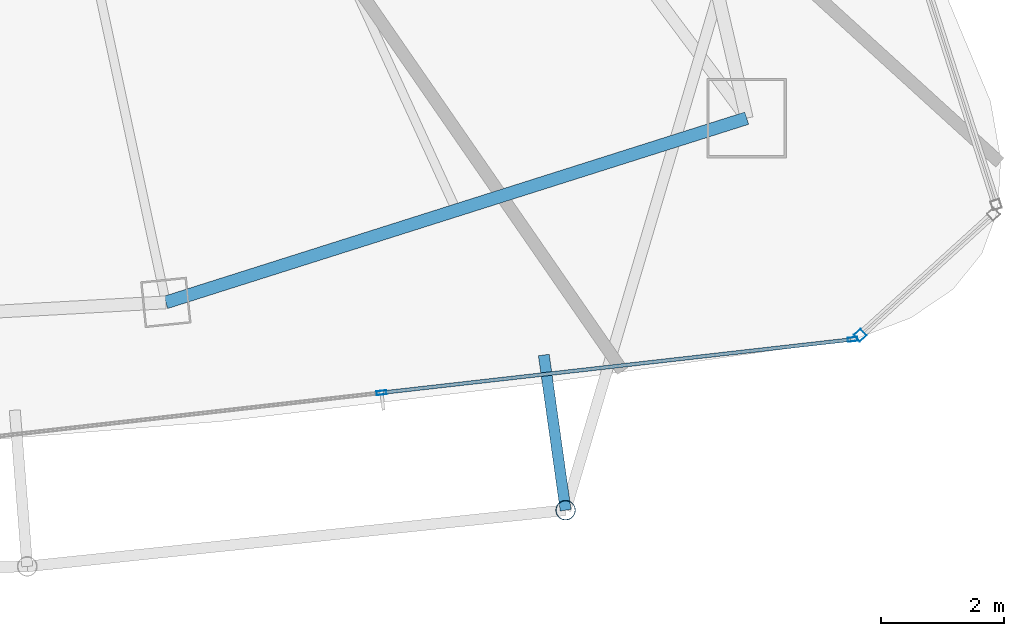
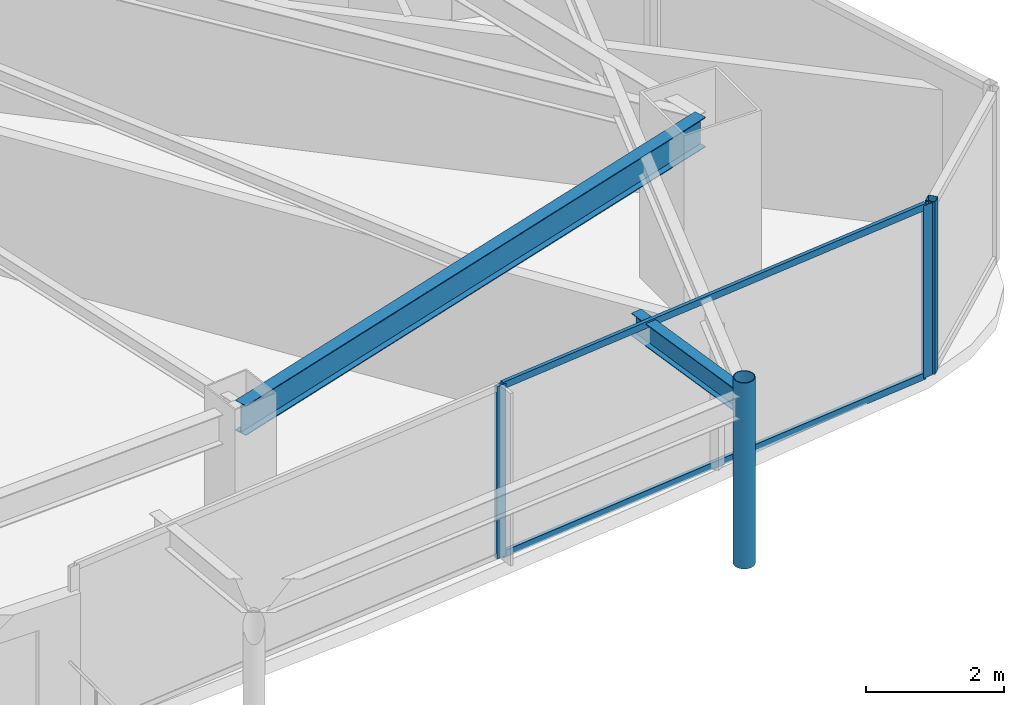
# One storey, part 14 of 30: 6 members, 2 beams, 2 elements without a shape of their own.
"""IFC4 building model written with IfcOpenShell, lengths in metres."""

from ifc_helpers import new_model, si_unit, direction, frame, origin, origin_2d, place, context, subcontext, project, spatial, hollow_rectangle, hollow_circle, i_section, extrude, material, layer, layer_set, material_profile, profile_set, type_object, element, aggregate, save


model = new_model("IFC4")

# Units and contexts
model_context = context("Model", 3, precision=1e-05, world=origin(), true_north=direction((0.0, 1.0)))
body_context = subcontext(model_context, "Body", "Model", "MODEL_VIEW")
ifc_project = project(units=[si_unit("LENGTHUNIT", "METRE"), si_unit("AREAUNIT", "SQUARE_METRE"), si_unit("VOLUMEUNIT", "CUBIC_METRE"), si_unit("PLANEANGLEUNIT", "RADIAN"), si_unit("MASSUNIT", "GRAM", prefix="KILO")], contexts=[model_context])

# Site, building, storey
site_placement = place(None, origin())
site = spatial("IfcSite", under=ifc_project, at=site_placement, CompositionType="ELEMENT")
building_placement = place(site_placement, origin())
building = spatial("IfcBuilding", under=site, at=building_placement, Name="Orvanel Arch Residences", CompositionType="ELEMENT")
storey_placement = place(building_placement, frame((0.0, 0.0, 229.39990234375)))
storey = spatial("IfcBuildingStorey", under=building, at=storey_placement, Name="L65", CompositionType="ELEMENT", Elevation=229.39990234375)

# Curtain wall, member
ifc_material_1 = material(Name="Bronze-anodised aluminium AA6063-T6", Category="aluminium")
ifc_layer_1 = layer(ifc_material_1, 0.18994140625)
ifc_layer_set_1 = layer_set([ifc_layer_1], Name="Bronze-anodised aluminium AA6063-T6")
curtain_wall_type_1 = type_object("IfcCurtainWallType", Name="CW5-CRN-SYS", PredefinedType="NOTDEFINED", material=ifc_layer_set_1)
curtain_wall_1_placement = place(storey_placement, origin())
curtain_wall_1 = element("IfcCurtainWall", 1, at=curtain_wall_1_placement, inside=storey, type_object=curtain_wall_type_1, Name="L65 CW5-CRN-SYS Unitised Curtain Wall", PredefinedType="NOTDEFINED")
ifc_material_profile_1 = material_profile(ifc_material_1, hollow_rectangle(XDim=0.14990234375, YDim=0.14990234375, WallThickness=0.0048828125, at=origin_2d()), Name="ALU150x150x5")
ifc_profile_set_1 = profile_set([ifc_material_profile_1], Name="Bronze-anodised aluminium AA6063-T6")
member_type_1 = type_object("IfcMemberType", Name="MUL-150x150", PredefinedType="MULLION", material=ifc_profile_set_1)
member_1_placement = place(storey_placement, frame((53.6474609375, 6.822509765625, 0.0), z_axis=(0.0, 0.0, 1.0), x_axis=(-0.672365707037, 0.740219127016, 0.0)))
member_1 = element("IfcMember", 2, at=member_1_placement, type_object=member_type_1, Name="CW-S5 mullion 1", PredefinedType="MULLION", context=body_context, shape_type="SweptSolid", body=[
    extrude(hollow_rectangle(XDim=0.14990234375, YDim=0.14990234375, WallThickness=0.0048828125, at=origin_2d()), origin(), (0.0, 0.0, 1.0), 3.06005859375),
])
aggregate(curtain_wall_1, [member_1])

# Curtain wall, members
ifc_layer_2 = layer(ifc_material_1, 0.175048828125)
ifc_layer_set_2 = layer_set([ifc_layer_2], Name="Bronze-anodised aluminium AA6063-T6")
curtain_wall_type_2 = type_object("IfcCurtainWallType", Name="CW4-HI-SYS", PredefinedType="NOTDEFINED", material=ifc_layer_set_2)
curtain_wall_2_placement = place(storey_placement, origin())
curtain_wall_2 = element("IfcCurtainWall", 3, at=curtain_wall_2_placement, inside=storey, type_object=curtain_wall_type_2, Name="L65 CW4-HI-SYS Unitised Curtain Wall", PredefinedType="NOTDEFINED")
ifc_material_profile_2 = material_profile(ifc_material_1, hollow_rectangle(XDim=0.06494140625, YDim=0.159912109375, WallThickness=0.00390625, at=origin_2d()), Name="ALU160x65x4")
ifc_profile_set_2 = profile_set([ifc_material_profile_2], Name="Bronze-anodised aluminium AA6063-T6")
member_type_2 = type_object("IfcMemberType", Name="MUL-160x65", PredefinedType="MULLION", material=ifc_profile_set_2)
member_2_placement = place(storey_placement, frame((45.860595703125, 5.885009765625, 0.0), z_axis=(0.0, 0.0, 1.0), x_axis=(-0.112578003012, 0.993642890196, 0.0)))
member_2 = element("IfcMember", 4, at=member_2_placement, type_object=member_type_2, Name="CW-S4 mullion 2", PredefinedType="MULLION", context=body_context, shape_type="SweptSolid", body=[
    extrude(hollow_rectangle(XDim=0.06494140625, YDim=0.159912109375, WallThickness=0.00390625, at=origin_2d()), origin(), (0.0, 0.0, 1.0), 3.06005859375),
])
member_3_placement = place(storey_placement, frame((53.524658203125, 6.75341796875, 0.0), z_axis=(0.0, 0.0, 1.0), x_axis=(-0.112578003012, 0.993642890196, 0.0)))
member_3 = element("IfcMember", 5, at=member_3_placement, type_object=member_type_2, Name="CW-S4 mullion 3", PredefinedType="MULLION", context=body_context, shape_type="SweptSolid", body=[
    extrude(hollow_rectangle(XDim=0.06494140625, YDim=0.159912109375, WallThickness=0.00390625, at=origin_2d()), origin(), (0.0, 0.0, 1.0), 3.06005859375),
])

# Beams
ifc_material_2 = material(Name="Structural steel AS/NZS 3679.1 Grade 300 (300 MPa)", Category="steel")
ifc_material_profile_3 = material_profile(ifc_material_2, i_section(OverallWidth=0.177978515625, OverallDepth=0.406005859375, WebThickness=0.0078125, FlangeThickness=0.0126953125, at=origin_2d()), Name="410UB59.7")
ifc_profile_set_3 = profile_set([ifc_material_profile_3], Name="Structural steel AS/NZS 3679.1 Grade 300 (300 MPa)")
beam_type_1 = type_object("IfcBeamType", Name="OB-410UB-EXT", PredefinedType="SPANDREL", material=ifc_profile_set_3)
beam_1_placement = place(storey_placement, frame((48.5, 6.4990234375, 2.857177734375), z_axis=(0.139222555053, -0.990261117163, 0.0), x_axis=(0.990261117163, 0.139222555053, 0.0)))
element("IfcBeam", 6, at=beam_1_placement, inside=storey, type_object=beam_type_1, Name="L65 Outer Frame Radial Tie Beam 08", PredefinedType="SPANDREL", context=body_context, shape_type="SweptSolid", body=[
    extrude(i_section(OverallWidth=0.177978515625, OverallDepth=0.406005859375, WebThickness=0.0078125, FlangeThickness=0.0126953125, at=origin_2d()), origin(), (0.0, 0.0, 1.0), 2.5498046875),
])
ifc_material_profile_4 = material_profile(ifc_material_2, i_section(OverallWidth=0.208984375, OverallDepth=0.532958984375, WebThickness=0.01025390625, FlangeThickness=0.015625, at=origin_2d()), Name="530UB92.4")
ifc_profile_set_4 = profile_set([ifc_material_profile_4], Name="Structural steel AS/NZS 3679.1 Grade 300 (300 MPa)")
beam_type_2 = type_object("IfcBeamType", Name="SP-530UB", PredefinedType="SPANDREL", material=ifc_profile_set_4)
beam_2_placement = place(storey_placement, frame((42.35107421875, 7.35498046875, 2.794189453125), z_axis=(0.953237386592, 0.302222574941, 0.0), x_axis=(-0.302222574941, 0.953237386592, 0.0)))
element("IfcBeam", 7, at=beam_2_placement, inside=storey, type_object=beam_type_2, Name="L65 Perimeter Spandrel Beam 05", PredefinedType="SPANDREL", context=body_context, shape_type="SweptSolid", body=[
    extrude(i_section(OverallWidth=0.208984375, OverallDepth=0.532958984375, WebThickness=0.01025390625, FlangeThickness=0.015625, at=origin_2d()), origin(), (0.0, 0.0, 1.0), 9.91357421875),
])

# Member
ifc_material_3 = material(Name="Structural steel AS/NZS 1163 C350L0 (Grade 350)", Category="steel")
ifc_material_profile_5 = material_profile(ifc_material_3, hollow_circle(Radius=0.162109375, WallThickness=0.0126953125, at=origin_2d()), Name="CHS324x12.7")
ifc_profile_set_5 = profile_set([ifc_material_profile_5], Name="Structural steel AS/NZS 1163 C350L0 (Grade 350)")
member_type_3 = type_object("IfcMemberType", Name="ST-324CHS-EXT", PredefinedType="STRUT", material=ifc_profile_set_5)
member_4_placement = place(storey_placement, frame((48.85498046875, 3.97412109375, 0.0), z_axis=(0.0, 0.0, 1.0), x_axis=(1.0, 0.0, 0.0)))
element("IfcMember", 8, at=member_4_placement, inside=storey, type_object=member_type_3, Name="L65 Outer Perimeter Frame Post 08", PredefinedType="STRUT", context=body_context, shape_type="SweptSolid", body=[
    extrude(hollow_circle(Radius=0.162109375, WallThickness=0.0126953125, at=origin_2d()), origin(), (0.0, 0.0, 1.0), 3.300048828125),
])

ifc_material_profile_6 = material_profile(ifc_material_1, hollow_rectangle(XDim=0.06005859375, YDim=0.1201171875, WallThickness=0.00341796875, at=origin_2d()), Name="ALU120x60x3.5")
ifc_profile_set_6 = profile_set([ifc_material_profile_6], Name="Bronze-anodised aluminium AA6063-T6")
member_type_4 = type_object("IfcMemberType", Name="TRN-120x60", PredefinedType="USERDEFINED", material=ifc_profile_set_6)
member_5_placement = place(storey_placement, frame((45.892822265625, 5.888671875, 0.030029296875), z_axis=(0.993641990336, 0.112585945127, 0.0), x_axis=(-0.112585945127, 0.993641990336, 0.0)))
member_5 = element("IfcMember", 9, at=member_5_placement, type_object=member_type_4, Name="CW-S4 transom 2.1", ObjectType="TRANSOM", PredefinedType="USERDEFINED", context=body_context, shape_type="SweptSolid", body=[
    extrude(hollow_rectangle(XDim=0.06005859375, YDim=0.1201171875, WallThickness=0.00341796875, at=origin_2d()), origin(), (0.0, 0.0, 1.0), 7.648193359375),
])

member_6_placement = place(storey_placement, frame((45.892822265625, 5.888671875, 3.030029296875), z_axis=(0.993641990336, 0.112585945127, 0.0), x_axis=(-0.112585945127, 0.993641990336, 0.0)))
member_6 = element("IfcMember", 10, at=member_6_placement, type_object=member_type_4, Name="CW-S4 transom 2.2", ObjectType="TRANSOM", PredefinedType="USERDEFINED", context=body_context, shape_type="SweptSolid", body=[
    extrude(hollow_rectangle(XDim=0.06005859375, YDim=0.1201171875, WallThickness=0.00341796875, at=origin_2d()), origin(), (0.0, 0.0, 1.0), 7.648193359375),
])

aggregate(curtain_wall_2, [member_2, member_3, member_5, member_6])

save(model, "model.ifc")
